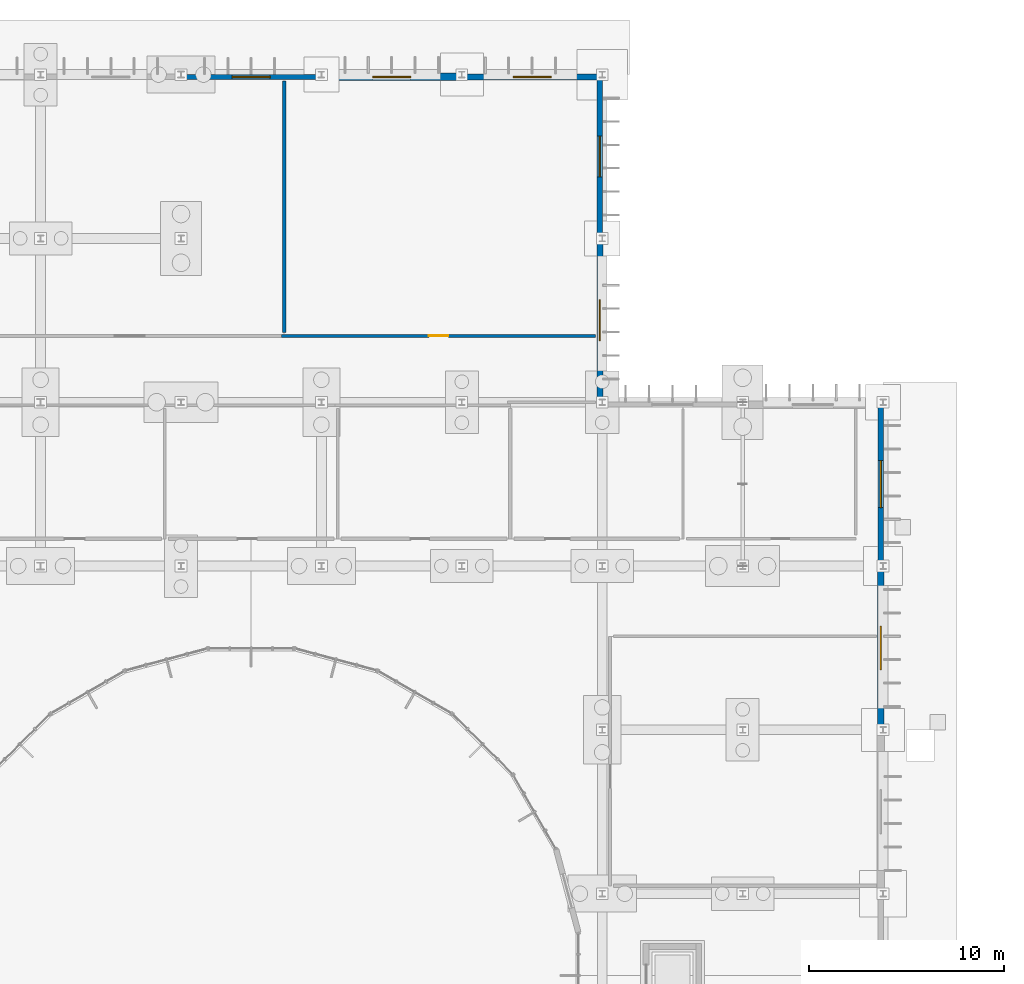
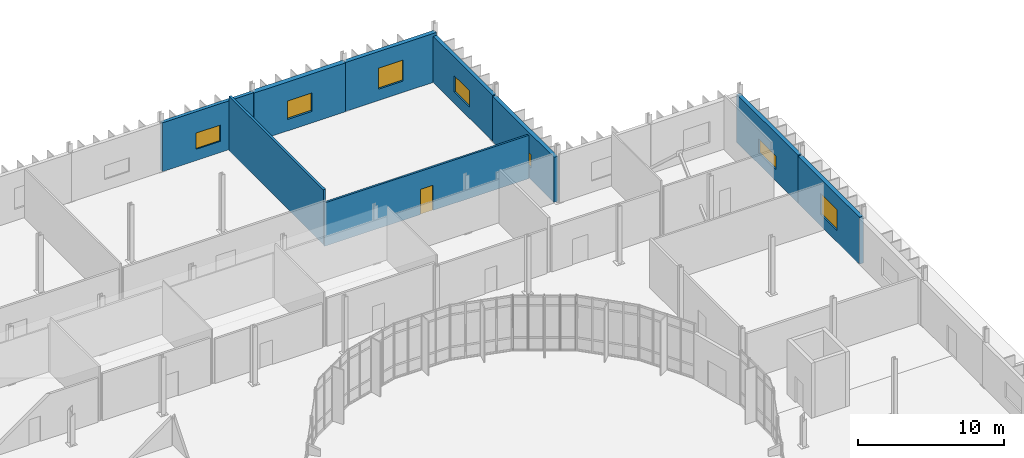
# One storey, part 100 of 118: 9 walls, 7 windows, 1 door, 8 openings.
"""IFC4 building model written with IfcOpenShell, lengths in metres."""

from ifc_helpers import new_model, si_unit, direction, frame, frame_2d, origin, place, context, subcontext, project, spatial, rectangle, extrude, material, layer, layer_set, type_object, element, fill, save


model = new_model("IFC4")

# Units and contexts
model_context = context("Model", 3, precision=1e-05, world=origin(), true_north=direction((0.0, 1.0)))
body_context = subcontext(model_context, "Body", "Model", "MODEL_VIEW")
ifc_project = project(units=[si_unit("LENGTHUNIT", "METRE"), si_unit("AREAUNIT", "SQUARE_METRE"), si_unit("VOLUMEUNIT", "CUBIC_METRE"), si_unit("PLANEANGLEUNIT", "RADIAN"), si_unit("MASSUNIT", "GRAM", prefix="KILO")], contexts=[model_context])

# Site, building, storey
site_placement = place(None, origin())
site = spatial("IfcSite", under=ifc_project, at=site_placement, CompositionType="ELEMENT")
building_placement = place(site_placement, origin())
building = spatial("IfcBuilding", under=site, at=building_placement, Name="Qelthora Terrace Specialist Clinic", CompositionType="ELEMENT")
storey_placement = place(building_placement, origin())
storey = spatial("IfcBuildingStorey", under=building, at=storey_placement, Name="L00", CompositionType="ELEMENT", Elevation=0.0)

# Wall, opening, window
ifc_material_1 = material(Name="Precast concrete C40/50", Category="concrete")
ifc_layer_1 = layer(ifc_material_1, 0.260009765625)
ifc_layer_set_1 = layer_set([ifc_layer_1], Name="Precast concrete C40/50")
wall_type_1 = type_object("IfcWallType", Name="WAL-EXT-260-PC40", PredefinedType="SOLIDWALL", material=ifc_layer_set_1)
wall_1_placement = place(storey_placement, frame((122.39990234375, 109.080078125, 0.0), z_axis=(0.0, 0.0, 1.0), x_axis=(1.0, 0.0, 0.0)))
wall_1 = element("IfcWall", 1, at=wall_1_placement, inside=storey, type_object=wall_type_1, Name="L00 external precast wall 34", PredefinedType="SOLIDWALL", context=body_context, shape_type="SweptSolid", body=[
    extrude(rectangle(XDim=7.2001953125, YDim=0.260009765625, at=frame_2d((3.60009765625, 0.0))), origin(), (0.0, 0.0, 1.0), 4.08203125),
])
opening_1_placement = place(wall_1_placement, frame((2.625, 0.0, 0.949951171875)))
opening_1 = element("IfcOpeningElement", 2, at=opening_1_placement, cuts=wall_1, Name="Opening WN-L00-026", PredefinedType="OPENING", context=body_context, shape_type="SweptSolid", body=[
    extrude(rectangle(XDim=1.949951171875, YDim=1.35009765625, at=frame_2d((0.97509765625, 0.675048828125))), frame((0.0, 0.139892578125, 0.0), z_axis=(0.0, -1.0, 0.0), x_axis=(1.0, 0.0, 0.0)), (0.0, 0.0, 1.0), 0.280029296875),
])
ifc_material_2 = material(Name="Low-E triple-silver insulating glass", Category="glass")
window_type_1 = type_object("IfcWindowType", Name="WIN-1950X1350", PartitioningType="DOUBLE_PANEL_VERTICAL", PredefinedType="WINDOW", material=ifc_material_2)
window_1_placement = place(opening_1_placement, origin())
window_1 = element("IfcWindow", 3, at=window_1_placement, inside=storey, type_object=window_type_1, Name="Clinical window WN-L00-026", OverallHeight=1.35009765625, OverallWidth=1.949951171875, PartitioningType="SINGLE_PANEL", PredefinedType="WINDOW", context=body_context, shape_type="SweptSolid", body=[
    extrude(rectangle(XDim=1.949951171875, YDim=1.35009765625, at=frame_2d((0.97509765625, 0.675048828125))), frame((0.0, 0.030029296875, 0.0), z_axis=(0.0, -1.0, 0.0), x_axis=(1.0, 0.0, 0.0)), (0.0, 0.0, 1.0), 0.06005859375),
])
fill(opening_1, window_1)

ifc_layer_2 = layer(ifc_material_1, 0.280029296875)
ifc_layer_set_2 = layer_set([ifc_layer_2], Name="Precast concrete C40/50")
wall_type_2 = type_object("IfcWallType", Name="WAL-EXT-280-PC40", PredefinedType="SOLIDWALL", material=ifc_layer_set_2)
wall_2_placement = place(storey_placement, frame((143.8798828125, 100.800048828125, 0.0), z_axis=(0.0, 0.0, 1.0), x_axis=(0.0, 1.0, 0.0)))
wall_2 = element("IfcWall", 4, at=wall_2_placement, inside=storey, type_object=wall_type_2, Name="L00 external precast wall 38", PredefinedType="SOLIDWALL", context=body_context, shape_type="SweptSolid", body=[
    extrude(rectangle(XDim=8.39990234375, YDim=0.280029296875, at=frame_2d((4.199951171875, 0.0))), origin(), (0.0, 0.0, 1.0), 3.84912109375),
])
opening_2_placement = place(wall_2_placement, frame((3.14990234375, 0.0, 0.949951171875)))
opening_2 = element("IfcOpeningElement", 5, at=opening_2_placement, cuts=wall_2, Name="Opening WN-L00-030", PredefinedType="OPENING", context=body_context, shape_type="SweptSolid", body=[
    extrude(rectangle(XDim=2.10009765625, YDim=1.35009765625, at=frame_2d((1.050048828125, 0.675048828125))), frame((0.0, 0.14990234375, 0.0), z_axis=(0.0, -1.0, 0.0), x_axis=(1.0, 0.0, 0.0)), (0.0, 0.0, 1.0), 0.300048828125),
])
window_type_2 = type_object("IfcWindowType", Name="WIN-2100X1350", PartitioningType="DOUBLE_PANEL_VERTICAL", PredefinedType="WINDOW", material=ifc_material_2)
window_2_placement = place(opening_2_placement, origin())
window_2 = element("IfcWindow", 6, at=window_2_placement, inside=storey, type_object=window_type_2, Name="Clinical window WN-L00-030", OverallHeight=1.35009765625, OverallWidth=2.10009765625, PartitioningType="SINGLE_PANEL", PredefinedType="WINDOW", context=body_context, shape_type="SweptSolid", body=[
    extrude(rectangle(XDim=2.10009765625, YDim=1.35009765625, at=frame_2d((1.050048828125, 0.675048828125))), frame((0.0, 0.030029296875, 0.0), z_axis=(0.0, -1.0, 0.0), x_axis=(1.0, 0.0, 0.0)), (0.0, 0.0, 1.0), 0.06005859375),
])
fill(opening_2, window_2)

ifc_layer_3 = layer(ifc_material_1, 0.300048828125)
ifc_layer_set_3 = layer_set([ifc_layer_3], Name="Precast concrete C40/50")
wall_type_3 = type_object("IfcWallType", Name="WAL-EXT-300-PC40", PredefinedType="SOLIDWALL", material=ifc_layer_set_3)
wall_3_placement = place(storey_placement, frame((143.8798828125, 92.39990234375, 0.0), z_axis=(0.0, 0.0, 1.0), x_axis=(0.0, 1.0, 0.0)))
wall_3 = element("IfcWall", 7, at=wall_3_placement, inside=storey, type_object=wall_type_3, Name="L00 external precast wall 37", PredefinedType="SOLIDWALL", context=body_context, shape_type="SweptSolid", body=[
    extrude(rectangle(XDim=8.400146484375, YDim=0.300048828125, at=frame_2d((4.2001953125, 0.0))), origin(), (0.0, 0.0, 1.0), 3.77197265625),
])
opening_3_placement = place(wall_3_placement, frame((3.14990234375, 0.0, 0.949951171875)))
opening_3 = element("IfcOpeningElement", 8, at=opening_3_placement, cuts=wall_3, Name="Opening WN-L00-029", PredefinedType="OPENING", context=body_context, shape_type="SweptSolid", body=[
    extrude(rectangle(XDim=2.10009765625, YDim=1.14990234375, at=frame_2d((1.050048828125, 0.574951171875))), frame((0.0, 0.159912109375, 0.0), z_axis=(0.0, -1.0, 0.0), x_axis=(1.0, 0.0, 0.0)), (0.0, 0.0, 1.0), 0.320068359375),
])
window_type_3 = type_object("IfcWindowType", Name="WIN-2100X1150", PartitioningType="DOUBLE_PANEL_VERTICAL", PredefinedType="WINDOW", material=ifc_material_2)
window_3_placement = place(opening_3_placement, origin())
window_3 = element("IfcWindow", 9, at=window_3_placement, inside=storey, type_object=window_type_3, Name="Clinical window WN-L00-029", OverallHeight=1.14990234375, OverallWidth=2.10009765625, PartitioningType="SINGLE_PANEL", PredefinedType="WINDOW", context=body_context, shape_type="SweptSolid", body=[
    extrude(rectangle(XDim=2.10009765625, YDim=1.14990234375, at=frame_2d((1.050048828125, 0.574951171875))), frame((0.0, 0.030029296875, 0.0), z_axis=(0.0, -1.0, 0.0), x_axis=(1.0, 0.0, 0.0)), (0.0, 0.0, 1.0), 0.06005859375),
])
fill(opening_3, window_3)

wall_4_placement = place(storey_placement, frame((158.280029296875, 84.0, 0.0), z_axis=(0.0, 0.0, 1.0), x_axis=(0.0, 1.0, 0.0)))
wall_4 = element("IfcWall", 10, at=wall_4_placement, inside=storey, type_object=wall_type_3, Name="L00 external precast wall 47", PredefinedType="SOLIDWALL", context=body_context, shape_type="SweptSolid", body=[
    extrude(rectangle(XDim=8.39990234375, YDim=0.300048828125, at=frame_2d((4.199951171875, 0.0))), origin(), (0.0, 0.0, 1.0), 3.998046875),
])
opening_4_placement = place(wall_4_placement, frame((3.0, 0.0, 0.949951171875)))
opening_4 = element("IfcOpeningElement", 11, at=opening_4_placement, cuts=wall_4, Name="Opening WN-L00-037", PredefinedType="OPENING", context=body_context, shape_type="SweptSolid", body=[
    extrude(rectangle(XDim=2.39990234375, YDim=1.14990234375, at=frame_2d((1.199951171875, 0.574951171875))), frame((0.0, 0.159912109375, 0.0), z_axis=(0.0, -1.0, 0.0), x_axis=(1.0, 0.0, 0.0)), (0.0, 0.0, 1.0), 0.320068359375),
])
window_type_4 = type_object("IfcWindowType", Name="WIN-2400X1150", PartitioningType="DOUBLE_PANEL_VERTICAL", PredefinedType="WINDOW", material=ifc_material_2)
window_4_placement = place(opening_4_placement, origin())
window_4 = element("IfcWindow", 12, at=window_4_placement, inside=storey, type_object=window_type_4, Name="Clinical window WN-L00-037", OverallHeight=1.14990234375, OverallWidth=2.39990234375, PartitioningType="SINGLE_PANEL", PredefinedType="WINDOW", context=body_context, shape_type="SweptSolid", body=[
    extrude(rectangle(XDim=2.39990234375, YDim=1.14990234375, at=frame_2d((1.199951171875, 0.574951171875))), frame((0.0, 0.030029296875, 0.0), z_axis=(0.0, -1.0, 0.0), x_axis=(1.0, 0.0, 0.0)), (0.0, 0.0, 1.0), 0.06005859375),
])
fill(opening_4, window_4)

ifc_layer_4 = layer(ifc_material_1, 0.320068359375)
ifc_layer_set_4 = layer_set([ifc_layer_4], Name="Precast concrete C40/50")
wall_type_4 = type_object("IfcWallType", Name="WAL-EXT-320-PC40", PredefinedType="SOLIDWALL", material=ifc_layer_set_4)
wall_5_placement = place(storey_placement, frame((136.800048828125, 109.080078125, 0.0), z_axis=(0.0, 0.0, 1.0), x_axis=(1.0, 0.0, 0.0)))
wall_5 = element("IfcWall", 13, at=wall_5_placement, inside=storey, type_object=wall_type_4, Name="L00 external precast wall 36", PredefinedType="SOLIDWALL", context=body_context, shape_type="SweptSolid", body=[
    extrude(rectangle(XDim=7.199951171875, YDim=0.320068359375, at=frame_2d((3.60009765625, 0.0))), origin(), (0.0, 0.0, 1.0), 4.08203125),
])
opening_5_placement = place(wall_5_placement, frame((2.625, 0.0, 0.949951171875)))
opening_5 = element("IfcOpeningElement", 14, at=opening_5_placement, cuts=wall_5, Name="Opening WN-L00-028", PredefinedType="OPENING", context=body_context, shape_type="SweptSolid", body=[
    extrude(rectangle(XDim=1.949951171875, YDim=1.75, at=frame_2d((0.97509765625, 0.875))), frame((0.0, 0.169921875, 0.0), z_axis=(0.0, -1.0, 0.0), x_axis=(1.0, 0.0, 0.0)), (0.0, 0.0, 1.0), 0.340087890625),
])
window_type_5 = type_object("IfcWindowType", Name="WIN-1950X1750", PartitioningType="DOUBLE_PANEL_VERTICAL", PredefinedType="WINDOW", material=ifc_material_2)
window_5_placement = place(opening_5_placement, origin())
window_5 = element("IfcWindow", 15, at=window_5_placement, inside=storey, type_object=window_type_5, Name="Clinical window WN-L00-028", OverallHeight=1.75, OverallWidth=1.949951171875, PartitioningType="SINGLE_PANEL", PredefinedType="WINDOW", context=body_context, shape_type="SweptSolid", body=[
    extrude(rectangle(XDim=1.949951171875, YDim=1.75, at=frame_2d((0.97509765625, 0.875))), frame((0.0, 0.030029296875, 0.0), z_axis=(0.0, -1.0, 0.0), x_axis=(1.0, 0.0, 0.0)), (0.0, 0.0, 1.0), 0.06005859375),
])
fill(opening_5, window_5)

wall_6_placement = place(storey_placement, frame((158.280029296875, 75.60009765625, 0.0), z_axis=(0.0, 0.0, 1.0), x_axis=(0.0, 1.0, 0.0)))
wall_6 = element("IfcWall", 16, at=wall_6_placement, inside=storey, type_object=wall_type_4, Name="L00 external precast wall 46", PredefinedType="SOLIDWALL", context=body_context, shape_type="SweptSolid", body=[
    extrude(rectangle(XDim=8.39990234375, YDim=0.320068359375, at=frame_2d((4.199951171875, 0.0))), origin(), (0.0, 0.0, 1.0), 3.925048828125),
])
opening_6_placement = place(wall_6_placement, frame((3.074951171875, 0.0, 0.949951171875)))
opening_6 = element("IfcOpeningElement", 17, at=opening_6_placement, cuts=wall_6, Name="Opening WN-L00-036", PredefinedType="OPENING", context=body_context, shape_type="SweptSolid", body=[
    extrude(rectangle(XDim=2.25, YDim=1.75, at=frame_2d((1.125, 0.875))), frame((0.0, 0.169921875, 0.0), z_axis=(0.0, -1.0, 0.0), x_axis=(1.0, 0.0, 0.0)), (0.0, 0.0, 1.0), 0.340087890625),
])
window_type_6 = type_object("IfcWindowType", Name="WIN-2250X1750", PartitioningType="DOUBLE_PANEL_VERTICAL", PredefinedType="WINDOW", material=ifc_material_2)
window_6_placement = place(opening_6_placement, origin())
window_6 = element("IfcWindow", 18, at=window_6_placement, inside=storey, type_object=window_type_6, Name="Clinical window WN-L00-036", OverallHeight=1.75, OverallWidth=2.25, PartitioningType="SINGLE_PANEL", PredefinedType="WINDOW", context=body_context, shape_type="SweptSolid", body=[
    extrude(rectangle(XDim=2.25, YDim=1.75, at=frame_2d((1.125, 0.875))), frame((0.0, 0.030029296875, 0.0), z_axis=(0.0, -1.0, 0.0), x_axis=(1.0, 0.0, 0.0)), (0.0, 0.0, 1.0), 0.06005859375),
])
fill(opening_6, window_6)

ifc_layer_5 = layer(ifc_material_1, 0.3798828125)
ifc_layer_set_5 = layer_set([ifc_layer_5], Name="Precast concrete C40/50")
wall_type_5 = type_object("IfcWallType", Name="WAL-EXT-380-PC40", PredefinedType="SOLIDWALL", material=ifc_layer_set_5)
wall_7_placement = place(storey_placement, frame((129.60009765625, 109.080078125, 0.0), z_axis=(0.0, 0.0, 1.0), x_axis=(1.0, 0.0, 0.0)))
wall_7 = element("IfcWall", 19, at=wall_7_placement, inside=storey, type_object=wall_type_5, Name="L00 external precast wall 35", PredefinedType="SOLIDWALL", context=body_context, shape_type="SweptSolid", body=[
    extrude(rectangle(XDim=7.199951171875, YDim=0.3798828125, at=frame_2d((3.60009765625, 0.0))), origin(), (0.0, 0.0, 1.0), 4.08203125),
])
opening_7_placement = place(wall_7_placement, frame((2.625, 0.0, 0.949951171875)))
opening_7 = element("IfcOpeningElement", 20, at=opening_7_placement, cuts=wall_7, Name="Opening WN-L00-027", PredefinedType="OPENING", context=body_context, shape_type="SweptSolid", body=[
    extrude(rectangle(XDim=1.949951171875, YDim=1.550048828125, at=frame_2d((0.97509765625, 0.77490234375))), frame((0.0, 0.199951171875, 0.0), z_axis=(0.0, -1.0, 0.0), x_axis=(1.0, 0.0, 0.0)), (0.0, 0.0, 1.0), 0.39990234375),
])
window_type_7 = type_object("IfcWindowType", Name="WIN-1950X1550", PartitioningType="DOUBLE_PANEL_VERTICAL", PredefinedType="WINDOW", material=ifc_material_2)
window_7_placement = place(opening_7_placement, origin())
window_7 = element("IfcWindow", 21, at=window_7_placement, inside=storey, type_object=window_type_7, Name="Clinical window WN-L00-027", OverallHeight=1.550048828125, OverallWidth=1.949951171875, PartitioningType="SINGLE_PANEL", PredefinedType="WINDOW", context=body_context, shape_type="SweptSolid", body=[
    extrude(rectangle(XDim=1.949951171875, YDim=1.550048828125, at=frame_2d((0.97509765625, 0.77490234375))), frame((0.0, 0.030029296875, 0.0), z_axis=(0.0, -1.0, 0.0), x_axis=(1.0, 0.0, 0.0)), (0.0, 0.0, 1.0), 0.06005859375),
])
fill(opening_7, window_7)

# Wall
ifc_material_3 = material(Name="Gypsum fire-rated wallboard", Category="gypsum")
ifc_layer_6 = layer(ifc_material_3, 0.179931640625)
ifc_layer_set_6 = layer_set([ifc_layer_6], Name="Gypsum fire-rated wallboard")
wall_type_6 = type_object("IfcWallType", Name="WAL-INT-CLN-180", PredefinedType="PARTITIONING", material=ifc_layer_set_6)
wall_8_placement = place(storey_placement, frame((127.6875, 108.860107421875, 0.0), z_axis=(0.0, 0.0, 1.0), x_axis=(0.0, -1.0, 0.0)))
element("IfcWall", 22, at=wall_8_placement, inside=storey, type_object=wall_type_6, Name="Interior clinical partition IWAL-L00-0143", PredefinedType="PARTITIONING", context=body_context, shape_type="SweptSolid", body=[
    extrude(rectangle(XDim=12.880126953125, YDim=0.179931640625, at=frame_2d((6.43994140625, 0.0))), origin(), (0.0, 0.0, 1.0), 4.544921875),
])

# Wall, opening, door
ifc_material_4 = material(Name="Gypsum moisture-resistant", Category="gypsum")
ifc_layer_7 = layer(ifc_material_4, 0.14990234375)
ifc_layer_set_7 = layer_set([ifc_layer_7], Name="Gypsum moisture-resistant")
wall_type_7 = type_object("IfcWallType", Name="WAL-INT-WET-150", PredefinedType="PLUMBINGWALL", material=ifc_layer_set_7)
wall_9_placement = place(storey_placement, frame((143.659912109375, 95.800048828125, 0.0), z_axis=(0.0, 0.0, 1.0), x_axis=(-1.0, 0.0, 0.0)))
wall_9 = element("IfcWall", 23, at=wall_9_placement, inside=storey, type_object=wall_type_7, Name="Interior clinical partition IWAL-L00-0144", PredefinedType="PLUMBINGWALL", context=body_context, shape_type="SweptSolid", body=[
    extrude(rectangle(XDim=16.107421875, YDim=0.14990234375, at=frame_2d((8.0537109375, 0.0))), origin(), (0.0, 0.0, 1.0), 3.617919921875),
])
opening_8_placement = place(wall_9_placement, frame((7.5537109375, 0.0, 0.0)))
opening_8 = element("IfcOpeningElement", 24, at=opening_8_placement, cuts=wall_9, Name="Opening DI-L00-0054", PredefinedType="OPENING", context=body_context, shape_type="SweptSolid", body=[
    extrude(rectangle(XDim=1.0, YDim=2.10009765625, at=frame_2d((0.5, 1.050048828125))), frame((0.0, 0.0849609375, 0.0), z_axis=(0.0, -1.0, 0.0), x_axis=(1.0, 0.0, 0.0)), (0.0, 0.0, 1.0), 0.169921875),
])
ifc_material_5 = material(Name="Glulam timber GL28h", Category="wood")
door_type = type_object("IfcDoorType", Name="DOR-AWC-1000X2100", OperationType="NOTDEFINED", PredefinedType="DOOR", material=ifc_material_5)
door_placement = place(opening_8_placement, frame((1.0, 0.0, 0.0), z_axis=(0.0, 0.0, 1.0), x_axis=(-1.0, 0.0, 0.0)))
door = element("IfcDoor", 25, at=door_placement, inside=storey, type_object=door_type, Name="Interior clinical door DI-L00-0054", OperationType="SINGLE_SWING_LEFT", OverallHeight=2.10009765625, OverallWidth=1.0, PredefinedType="DOOR", context=body_context, shape_type="SweptSolid", body=[
    extrude(rectangle(XDim=1.0, YDim=2.10009765625, at=frame_2d((0.5, 1.050048828125))), frame((0.0, 0.02490234375, 0.0), z_axis=(0.0, -1.0, 0.0), x_axis=(1.0, 0.0, 0.0)), (0.0, 0.0, 1.0), 0.050048828125),
])
fill(opening_8, door)

save(model, "model.ifc")
